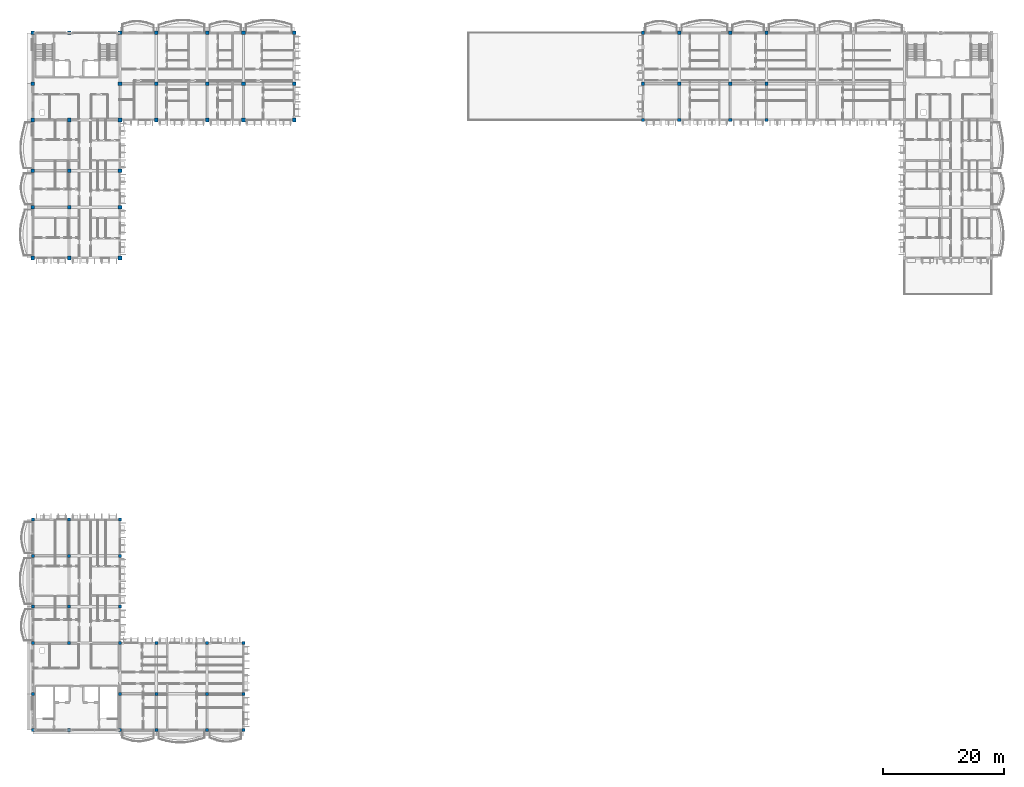
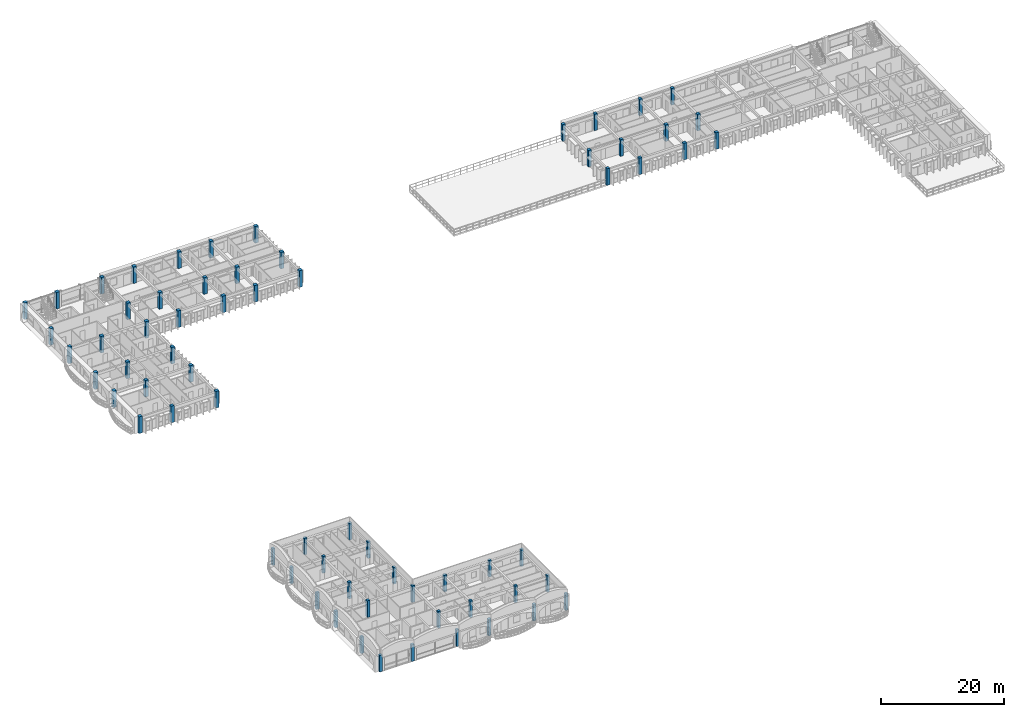
# One storey, part 1 of 45: 67 columns.
"""IFC4 building model written with IfcOpenShell, lengths in metres."""

from ifc_helpers import new_model, si_unit, direction, frame, origin, origin_2d, place, context, subcontext, project, spatial, rectangle, extrude, material, material_profile, profile_set, type_object, element, save


model = new_model("IFC4")

# Units and contexts
model_context = context("Model", 3, precision=1e-05, world=origin(), true_north=direction((0.0, 1.0)))
body_context = subcontext(model_context, "Body", "Model", "MODEL_VIEW")
ifc_project = project(units=[si_unit("LENGTHUNIT", "METRE"), si_unit("AREAUNIT", "SQUARE_METRE"), si_unit("VOLUMEUNIT", "CUBIC_METRE"), si_unit("PLANEANGLEUNIT", "RADIAN"), si_unit("MASSUNIT", "GRAM", prefix="KILO"), si_unit("THERMODYNAMICTEMPERATUREUNIT", "KELVIN")], contexts=[model_context])

# Site, building, storey
site_placement = place(None, origin())
site = spatial("IfcSite", under=ifc_project, at=site_placement, CompositionType="ELEMENT")
building_placement = place(site_placement, origin())
building = spatial("IfcBuilding", under=site, at=building_placement, Name="Thalorik Housing Commons", CompositionType="ELEMENT")
storey_placement = place(building_placement, frame((0.0, 0.0, 34.5)))
storey = spatial("IfcBuildingStorey", under=building, at=storey_placement, Name="L10", CompositionType="ELEMENT", Elevation=34.5)

# Columns
ifc_material = material(Name="Precast concrete C40/50", Category="concrete")
ifc_material_profile_1 = material_profile(ifc_material, rectangle(XDim=0.5, YDim=0.5, at=origin_2d()), Name="PC 500x500", Category="concrete")
ifc_profile_set_1 = profile_set([ifc_material_profile_1], Name="Precast concrete C40/50")
column_type_1 = type_object("IfcColumnType", Name="STR-COL-PC500", PredefinedType="COLUMN", material=ifc_profile_set_1)
for number, where, z_axis, x_axis, name in (
    (1, (8.39990234375, 8.39990234375, 0.0), (0.0, 0.0, 1.0), (1.0, 0.0, 0.0), "L10 Column C-500"),
    (2, (8.39990234375, 14.39990234375, 0.0), (0.0, 0.0, 1.0), (1.0, 0.0, 0.0), "L10 Column C-500"),
    (3, (8.39990234375, 22.800048828125, 0.0), (0.0, 0.0, 1.0), (1.0, 0.0, 0.0), "L10 Column C-500"),
    (4, (8.39990234375, 28.800048828125, 0.0), (0.0, 0.0, 1.0), (1.0, 0.0, 0.0), "L10 Column C-500"),
    (5, (8.39990234375, 37.199951171875, 0.0), (0.0, 0.0, 1.0), (1.0, 0.0, 0.0), "L10 Column C-500"),
    (6, (8.39990234375, 43.199951171875, 0.0), (0.0, 0.0, 1.0), (1.0, 0.0, 0.0), "L10 Column C-500"),
    (7, (14.39990234375, 8.39990234375, 0.0), (0.0, 0.0, 1.0), (1.0, 0.0, 0.0), "L10 Column C-500"),
    (8, (14.39990234375, 22.800048828125, 0.0), (0.0, 0.0, 1.0), (1.0, 0.0, 0.0), "L10 Column C-500"),
    (9, (14.39990234375, 28.800048828125, 0.0), (0.0, 0.0, 1.0), (1.0, 0.0, 0.0), "L10 Column C-500"),
    (10, (14.39990234375, 37.199951171875, 0.0), (0.0, 0.0, 1.0), (1.0, 0.0, 0.0), "L10 Column C-500"),
    (11, (14.39990234375, 43.199951171875, 0.0), (0.0, 0.0, 1.0), (1.0, 0.0, 0.0), "L10 Column C-500"),
    (12, (22.800048828125, 8.39990234375, 0.0), (0.0, 0.0, 1.0), (1.0, 0.0, 0.0), "L10 Column C-500"),
    (13, (22.800048828125, 14.39990234375, 0.0), (0.0, 0.0, 1.0), (1.0, 0.0, 0.0), "L10 Column C-500"),
    (14, (22.800048828125, 22.800048828125, 0.0), (0.0, 0.0, 1.0), (1.0, 0.0, 0.0), "L10 Column C-500"),
    (15, (22.800048828125, 28.800048828125, 0.0), (0.0, 0.0, 1.0), (1.0, 0.0, 0.0), "L10 Column C-500"),
    (16, (22.800048828125, 37.199951171875, 0.0), (0.0, 0.0, 1.0), (1.0, 0.0, 0.0), "L10 Column C-500"),
    (17, (22.800048828125, 43.199951171875, 0.0), (0.0, 0.0, 1.0), (1.0, 0.0, 0.0), "L10 Column C-500"),
    (18, (28.800048828125, 8.39990234375, 0.0), (0.0, 0.0, 1.0), (1.0, 0.0, 0.0), "L10 Column C-500"),
    (19, (28.800048828125, 14.39990234375, 0.0), (0.0, 0.0, 1.0), (1.0, 0.0, 0.0), "L10 Column C-500"),
    (20, (28.800048828125, 22.800048828125, 0.0), (0.0, 0.0, 1.0), (1.0, 0.0, 0.0), "L10 Column C-500"),
    (21, (37.199951171875, 8.39990234375, 0.0), (0.0, 0.0, 1.0), (1.0, 0.0, 0.0), "L10 Column C-500"),
    (22, (37.199951171875, 14.39990234375, 0.0), (0.0, 0.0, 1.0), (1.0, 0.0, 0.0), "L10 Column C-500"),
    (23, (37.199951171875, 22.800048828125, 0.0), (0.0, 0.0, 1.0), (1.0, 0.0, 0.0), "L10 Column C-500"),
    (24, (43.199951171875, 8.39990234375, 0.0), (0.0, 0.0, 1.0), (1.0, 0.0, 0.0), "L10 Column C-500"),
    (25, (43.199951171875, 14.39990234375, 0.0), (0.0, 0.0, 1.0), (1.0, 0.0, 0.0), "L10 Column C-500"),
    (26, (43.199951171875, 22.800048828125, 0.0), (0.0, 0.0, 1.0), (1.0, 0.0, 0.0), "L10 Column C-500"),
):
    element("IfcColumn", number, at=place(storey_placement, frame(where, z_axis=z_axis, x_axis=x_axis)), inside=storey, type_object=column_type_1, Name=name, PredefinedType="COLUMN", context=body_context, shape_type="SweptSolid", body=[
        extrude(rectangle(XDim=0.5, YDim=0.5, at=origin_2d()), origin(), (0.0, 0.0, 1.0), 3.300048828125),
    ])
ifc_material_profile_2 = material_profile(ifc_material, rectangle(XDim=0.550048828125, YDim=0.550048828125, at=origin_2d()), Name="PC 550x550", Category="concrete")
ifc_profile_set_2 = profile_set([ifc_material_profile_2], Name="Precast concrete C40/50")
column_type_2 = type_object("IfcColumnType", Name="STR-COL-PC550", PredefinedType="COLUMN", material=ifc_profile_set_2)
for number, where, z_axis, x_axis, name in (
    (27, (109.199951171875, 109.199951171875, 0.0), (0.0, 0.0, 1.0), (1.0, 0.0, 0.0), "L10 Column C-550"),
    (28, (109.199951171875, 115.199951171875, 0.0), (0.0, 0.0, 1.0), (1.0, 0.0, 0.0), "L10 Column C-550"),
    (29, (109.199951171875, 123.60009765625, 0.0), (0.0, 0.0, 1.0), (1.0, 0.0, 0.0), "L10 Column C-550"),
    (30, (115.199951171875, 109.199951171875, 0.0), (0.0, 0.0, 1.0), (1.0, 0.0, 0.0), "L10 Column C-550"),
    (31, (115.199951171875, 115.199951171875, 0.0), (0.0, 0.0, 1.0), (1.0, 0.0, 0.0), "L10 Column C-550"),
    (32, (115.199951171875, 123.60009765625, 0.0), (0.0, 0.0, 1.0), (1.0, 0.0, 0.0), "L10 Column C-550"),
    (33, (123.60009765625, 109.199951171875, 0.0), (0.0, 0.0, 1.0), (1.0, 0.0, 0.0), "L10 Column C-550"),
    (34, (123.60009765625, 115.199951171875, 0.0), (0.0, 0.0, 1.0), (1.0, 0.0, 0.0), "L10 Column C-550"),
    (35, (123.60009765625, 123.60009765625, 0.0), (0.0, 0.0, 1.0), (1.0, 0.0, 0.0), "L10 Column C-550"),
    (36, (129.60009765625, 109.199951171875, 0.0), (0.0, 0.0, 1.0), (1.0, 0.0, 0.0), "L10 Column C-550"),
    (37, (129.60009765625, 115.199951171875, 0.0), (0.0, 0.0, 1.0), (1.0, 0.0, 0.0), "L10 Column C-550"),
    (38, (129.60009765625, 123.60009765625, 0.0), (0.0, 0.0, 1.0), (1.0, 0.0, 0.0), "L10 Column C-550"),
):
    element("IfcColumn", number, at=place(storey_placement, frame(where, z_axis=z_axis, x_axis=x_axis)), inside=storey, type_object=column_type_2, Name=name, PredefinedType="COLUMN", context=body_context, shape_type="SweptSolid", body=[
        extrude(rectangle(XDim=0.550048828125, YDim=0.550048828125, at=origin_2d()), origin(), (0.0, 0.0, 1.0), 3.300048828125),
    ])
ifc_material_profile_3 = material_profile(ifc_material, rectangle(XDim=0.60009765625, YDim=0.60009765625, at=origin_2d()), Name="PC 600x600", Category="concrete")
ifc_profile_set_3 = profile_set([ifc_material_profile_3], Name="Precast concrete C40/50")
column_type_3 = type_object("IfcColumnType", Name="STR-COL-PC600", PredefinedType="COLUMN", material=ifc_profile_set_3)
for number, where, z_axis, x_axis, name in (
    (39, (8.39990234375, 86.39990234375, 0.0), (0.0, 0.0, 1.0), (1.0, 0.0, 0.0), "L10 Column C-600"),
    (40, (8.39990234375, 94.800048828125, 0.0), (0.0, 0.0, 1.0), (1.0, 0.0, 0.0), "L10 Column C-600"),
    (41, (8.39990234375, 100.800048828125, 0.0), (0.0, 0.0, 1.0), (1.0, 0.0, 0.0), "L10 Column C-600"),
    (42, (8.39990234375, 109.199951171875, 0.0), (0.0, 0.0, 1.0), (1.0, 0.0, 0.0), "L10 Column C-600"),
    (43, (8.39990234375, 115.199951171875, 0.0), (0.0, 0.0, 1.0), (1.0, 0.0, 0.0), "L10 Column C-600"),
    (44, (8.39990234375, 123.60009765625, 0.0), (0.0, 0.0, 1.0), (1.0, 0.0, 0.0), "L10 Column C-600"),
    (45, (14.39990234375, 86.39990234375, 0.0), (0.0, 0.0, 1.0), (1.0, 0.0, 0.0), "L10 Column C-600"),
    (46, (14.39990234375, 94.800048828125, 0.0), (0.0, 0.0, 1.0), (1.0, 0.0, 0.0), "L10 Column C-600"),
    (47, (14.39990234375, 100.800048828125, 0.0), (0.0, 0.0, 1.0), (1.0, 0.0, 0.0), "L10 Column C-600"),
    (48, (14.39990234375, 109.199951171875, 0.0), (0.0, 0.0, 1.0), (1.0, 0.0, 0.0), "L10 Column C-600"),
    (49, (14.39990234375, 123.60009765625, 0.0), (0.0, 0.0, 1.0), (1.0, 0.0, 0.0), "L10 Column C-600"),
    (50, (22.800048828125, 86.39990234375, 0.0), (0.0, 0.0, 1.0), (1.0, 0.0, 0.0), "L10 Column C-600"),
    (51, (22.800048828125, 94.800048828125, 0.0), (0.0, 0.0, 1.0), (1.0, 0.0, 0.0), "L10 Column C-600"),
    (52, (22.800048828125, 100.800048828125, 0.0), (0.0, 0.0, 1.0), (1.0, 0.0, 0.0), "L10 Column C-600"),
    (53, (22.800048828125, 109.199951171875, 0.0), (0.0, 0.0, 1.0), (1.0, 0.0, 0.0), "L10 Column C-600"),
    (54, (22.800048828125, 115.199951171875, 0.0), (0.0, 0.0, 1.0), (1.0, 0.0, 0.0), "L10 Column C-600"),
    (55, (22.800048828125, 123.60009765625, 0.0), (0.0, 0.0, 1.0), (1.0, 0.0, 0.0), "L10 Column C-600"),
    (56, (28.800048828125, 109.199951171875, 0.0), (0.0, 0.0, 1.0), (1.0, 0.0, 0.0), "L10 Column C-600"),
    (57, (28.800048828125, 115.199951171875, 0.0), (0.0, 0.0, 1.0), (1.0, 0.0, 0.0), "L10 Column C-600"),
    (58, (28.800048828125, 123.60009765625, 0.0), (0.0, 0.0, 1.0), (1.0, 0.0, 0.0), "L10 Column C-600"),
    (59, (37.199951171875, 109.199951171875, 0.0), (0.0, 0.0, 1.0), (1.0, 0.0, 0.0), "L10 Column C-600"),
    (60, (37.199951171875, 115.199951171875, 0.0), (0.0, 0.0, 1.0), (1.0, 0.0, 0.0), "L10 Column C-600"),
    (61, (37.199951171875, 123.60009765625, 0.0), (0.0, 0.0, 1.0), (1.0, 0.0, 0.0), "L10 Column C-600"),
    (62, (43.199951171875, 109.199951171875, 0.0), (0.0, 0.0, 1.0), (1.0, 0.0, 0.0), "L10 Column C-600"),
    (63, (43.199951171875, 115.199951171875, 0.0), (0.0, 0.0, 1.0), (1.0, 0.0, 0.0), "L10 Column C-600"),
    (64, (43.199951171875, 123.60009765625, 0.0), (0.0, 0.0, 1.0), (1.0, 0.0, 0.0), "L10 Column C-600"),
    (65, (51.60009765625, 109.199951171875, 0.0), (0.0, 0.0, 1.0), (1.0, 0.0, 0.0), "L10 Column C-600"),
    (66, (51.60009765625, 115.199951171875, 0.0), (0.0, 0.0, 1.0), (1.0, 0.0, 0.0), "L10 Column C-600"),
    (67, (51.60009765625, 123.60009765625, 0.0), (0.0, 0.0, 1.0), (1.0, 0.0, 0.0), "L10 Column C-600"),
):
    element("IfcColumn", number, at=place(storey_placement, frame(where, z_axis=z_axis, x_axis=x_axis)), inside=storey, type_object=column_type_3, Name=name, PredefinedType="COLUMN", context=body_context, shape_type="SweptSolid", body=[
        extrude(rectangle(XDim=0.60009765625, YDim=0.60009765625, at=origin_2d()), origin(), (0.0, 0.0, 1.0), 3.300048828125),
    ])

save(model, "model.ifc")
